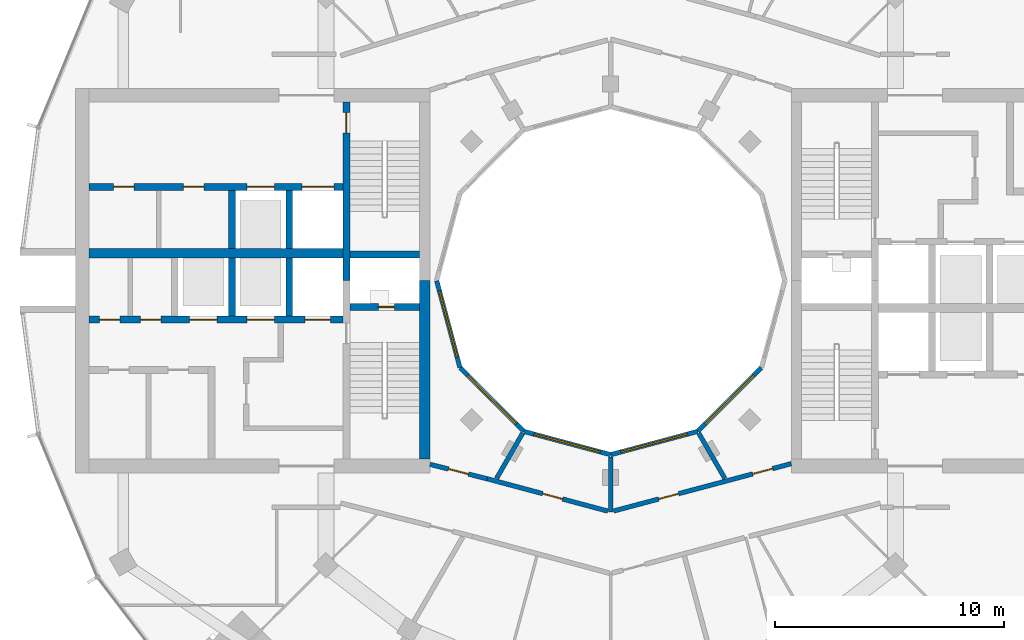
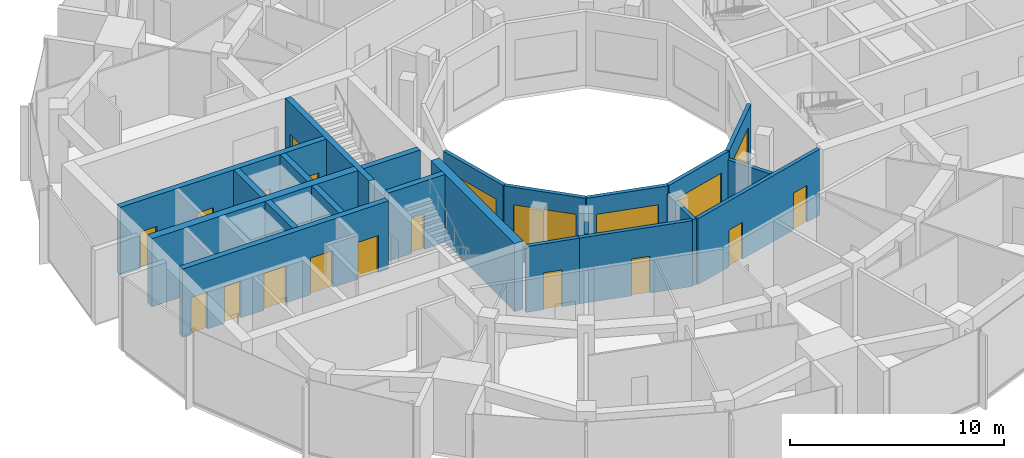
# One storey, part 9 of 15: 22 walls, 15 doors, 5 windows, 20 openings.
"""IFC4 building model written with IfcOpenShell, lengths in metres."""

from ifc_helpers import new_model, si_unit, direction, frame, frame_2d, origin, place, context, subcontext, project, spatial, rectangle, extrude, material, layer, layer_set, type_object, element, fill, save


model = new_model("IFC4")

# Units and contexts
model_context = context("Model", 3, precision=1e-05, world=origin(), true_north=direction((0.0, 1.0)))
body_context = subcontext(model_context, "Body", "Model", "MODEL_VIEW")
ifc_project = project(units=[si_unit("LENGTHUNIT", "METRE"), si_unit("AREAUNIT", "SQUARE_METRE"), si_unit("VOLUMEUNIT", "CUBIC_METRE"), si_unit("PLANEANGLEUNIT", "RADIAN"), si_unit("MASSUNIT", "GRAM", prefix="KILO")], contexts=[model_context])

# Site, building, storey
site_placement = place(None, origin())
site = spatial("IfcSite", under=ifc_project, at=site_placement, CompositionType="ELEMENT")
building_placement = place(site_placement, origin())
building = spatial("IfcBuilding", under=site, at=building_placement, Name="Torre Brocal", CompositionType="ELEMENT")
storey_placement = place(building_placement, frame((0.0, 0.0, 237.300048828125)))
storey = spatial("IfcBuildingStorey", under=building, at=storey_placement, Name="L54", CompositionType="ELEMENT", Elevation=237.300048828125)

# Wall, opening, door
ifc_material_1 = material(Name="Concrete C60", Category="concrete")
ifc_layer_1 = layer(ifc_material_1, 0.300048828125)
ifc_layer_set_1 = layer_set([ifc_layer_1], Name="Concrete C60")
wall_type_1 = type_object("IfcWallType", Name="CORE WALL 300 C60", PredefinedType="SHEAR", material=ifc_layer_set_1)
wall_1_placement = place(storey_placement, frame((68.449951171875, 82.800048828125, 0.0), z_axis=(0.0, 0.0, 1.0), x_axis=(0.0, -1.0, 0.0)))
wall_1 = element("IfcWall", 1, at=wall_1_placement, inside=storey, type_object=wall_type_1, Name="Wall CW300-60", PredefinedType="SHEAR", context=body_context, shape_type="SweptSolid", body=[
    extrude(rectangle(XDim=7.800048828125, YDim=0.300048828125, at=frame_2d((3.89990234375, 0.0))), origin(), (0.0, 0.0, 1.0), 3.8798828125),
])
opening_1_placement = place(wall_1_placement, frame((0.449951171875, 0.0, 0.0)))
opening_1 = element("IfcOpeningElement", 2, at=opening_1_placement, cuts=wall_1, Name="Opening W-D03", PredefinedType="OPENING", context=body_context, shape_type="SweptSolid", body=[
    extrude(rectangle(XDim=0.89990234375, YDim=2.10009765625, at=frame_2d((0.449951171875, 1.050048828125))), frame((0.0, 0.159912109375, 0.0), z_axis=(0.0, -1.0, 0.0), x_axis=(1.0, 0.0, 0.0)), (0.0, 0.0, 1.0), 0.320068359375),
])
ifc_material_2 = material(Name="Steel A653", Category="steel")
door_type_1 = type_object("IfcDoorType", Name="STAIR DOOR FD120 900X2100", OperationType="SINGLE_SWING_RIGHT", PredefinedType="DOOR", material=ifc_material_2)
door_1_placement = place(opening_1_placement, origin())
door_1 = element("IfcDoor", 3, at=door_1_placement, inside=storey, type_object=door_type_1, Name="Door W-D03", OperationType="SINGLE_SWING_LEFT", OverallHeight=2.10009765625, OverallWidth=0.89990234375, PredefinedType="DOOR", context=body_context, shape_type="SweptSolid", body=[
    extrude(rectangle(XDim=0.89990234375, YDim=2.10009765625, at=frame_2d((0.449951171875, 1.050048828125))), frame((0.0, 0.02490234375, 0.0), z_axis=(0.0, -1.0, 0.0), x_axis=(1.0, 0.0, 0.0)), (0.0, 0.0, 1.0), 0.050048828125),
])
fill(opening_1, door_1)

wall_2_placement = place(storey_placement, frame((71.64990234375, 73.85009765625, 0.0), z_axis=(0.0, 0.0, 1.0), x_axis=(-1.0, 0.0, 0.0)))
wall_2 = element("IfcWall", 4, at=wall_2_placement, inside=storey, type_object=wall_type_1, Name="Wall CW300-60", PredefinedType="SHEAR", context=body_context, shape_type="SweptSolid", body=[
    extrude(rectangle(XDim=3.0498046875, YDim=0.300048828125, at=frame_2d((1.52490234375, 0.0))), origin(), (0.0, 0.0, 1.0), 3.8798828125),
])
opening_2_placement = place(wall_2_placement, frame((1.10009765625, 0.0, 0.0)))
opening_2 = element("IfcOpeningElement", 5, at=opening_2_placement, cuts=wall_2, Name="Opening W-D01", PredefinedType="OPENING", context=body_context, shape_type="SweptSolid", body=[
    extrude(rectangle(XDim=0.699951171875, YDim=2.0, at=frame_2d((0.35009765625, 1.0))), frame((0.0, 0.159912109375, 0.0), z_axis=(0.0, -1.0, 0.0), x_axis=(1.0, 0.0, 0.0)), (0.0, 0.0, 1.0), 0.320068359375),
])
ifc_material_3 = material(Name="Steel A653", Category="steel")
door_type_2 = type_object("IfcDoorType", Name="RISER DOOR FD120 700X2000", OperationType="SINGLE_SWING_LEFT", PredefinedType="DOOR", material=ifc_material_3)
door_2_placement = place(opening_2_placement, frame((0.699951171875, 0.0, 0.0), z_axis=(0.0, 0.0, 1.0), x_axis=(-1.0, 0.0, 0.0)))
door_2 = element("IfcDoor", 6, at=door_2_placement, inside=storey, type_object=door_type_2, Name="Door W-D01", OperationType="SINGLE_SWING_RIGHT", OverallHeight=2.0, OverallWidth=0.699951171875, PredefinedType="DOOR", context=body_context, shape_type="SweptSolid", body=[
    extrude(rectangle(XDim=0.699951171875, YDim=2.0, at=frame_2d((0.35009765625, 1.0))), frame((0.0, 0.02490234375, 0.0), z_axis=(0.0, -1.0, 0.0), x_axis=(1.0, 0.0, 0.0)), (0.0, 0.0, 1.0), 0.050048828125),
])
fill(opening_2, door_2)

# Wall
wall_3_placement = place(storey_placement, frame((71.64990234375, 76.14990234375, 0.0), z_axis=(0.0, 0.0, 1.0), x_axis=(-1.0, 0.0, 0.0)))
element("IfcWall", 7, at=wall_3_placement, inside=storey, type_object=wall_type_1, Name="Wall CW300-60", PredefinedType="SHEAR", context=body_context, shape_type="SweptSolid", body=[
    extrude(rectangle(XDim=3.0498046875, YDim=0.300048828125, at=frame_2d((1.52490234375, 0.0))), origin(), (0.0, 0.0, 1.0), 3.8798828125),
])

# Wall, openings, doors
wall_4_placement = place(storey_placement, frame((68.300048828125, 73.300048828125, 0.0), z_axis=(0.0, 0.0, 1.0), x_axis=(-1.0, 0.0, 0.0)))
wall_4 = element("IfcWall", 8, at=wall_4_placement, inside=storey, type_object=wall_type_1, Name="Wall CW300-60", PredefinedType="SHEAR", context=body_context, shape_type="SweptSolid", body=[
    extrude(rectangle(XDim=11.10009765625, YDim=0.300048828125, at=frame_2d((5.550048828125, 0.0))), origin(), (0.0, 0.0, 1.0), 3.8798828125),
])
opening_3_placement = place(wall_4_placement, frame((0.550048828125, 0.0, 0.0)))
opening_3 = element("IfcOpeningElement", 9, at=opening_3_placement, cuts=wall_4, Name="Opening LD", PredefinedType="OPENING", context=body_context, shape_type="SweptSolid", body=[
    extrude(rectangle(XDim=1.10009765625, YDim=2.10009765625, at=frame_2d((0.550048828125, 1.050048828125))), frame((0.0, 0.159912109375, 0.0), z_axis=(0.0, -1.0, 0.0), x_axis=(1.0, 0.0, 0.0)), (0.0, 0.0, 1.0), 0.320068359375),
])
opening_4_placement = place(wall_4_placement, frame((3.0, 0.0, 0.0)))
opening_4 = element("IfcOpeningElement", 10, at=opening_4_placement, cuts=wall_4, Name="Opening LD12", PredefinedType="OPENING", context=body_context, shape_type="SweptSolid", body=[
    extrude(rectangle(XDim=1.199951171875, YDim=2.10009765625, at=frame_2d((0.60009765625, 1.050048828125))), frame((0.0, 0.159912109375, 0.0), z_axis=(0.0, -1.0, 0.0), x_axis=(1.0, 0.0, 0.0)), (0.0, 0.0, 1.0), 0.320068359375),
])
opening_5_placement = place(wall_4_placement, frame((5.5, 0.0, 0.0)))
opening_5 = element("IfcOpeningElement", 11, at=opening_5_placement, cuts=wall_4, Name="Opening LD12", PredefinedType="OPENING", context=body_context, shape_type="SweptSolid", body=[
    extrude(rectangle(XDim=1.199951171875, YDim=2.10009765625, at=frame_2d((0.60009765625, 1.050048828125))), frame((0.0, 0.159912109375, 0.0), z_axis=(0.0, -1.0, 0.0), x_axis=(1.0, 0.0, 0.0)), (0.0, 0.0, 1.0), 0.320068359375),
])
opening_6_placement = place(wall_4_placement, frame((7.949951171875, 0.0, 0.0)))
opening_6 = element("IfcOpeningElement", 12, at=opening_6_placement, cuts=wall_4, Name="Opening W-D04", PredefinedType="OPENING", context=body_context, shape_type="SweptSolid", body=[
    extrude(rectangle(XDim=0.89990234375, YDim=2.10009765625, at=frame_2d((0.449951171875, 1.050048828125))), frame((0.0, 0.159912109375, 0.0), z_axis=(0.0, -1.0, 0.0), x_axis=(1.0, 0.0, 0.0)), (0.0, 0.0, 1.0), 0.320068359375),
])
opening_7_placement = place(wall_4_placement, frame((9.75, 0.0, 0.0)))
opening_7 = element("IfcOpeningElement", 13, at=opening_7_placement, cuts=wall_4, Name="Opening W-D05", PredefinedType="OPENING", context=body_context, shape_type="SweptSolid", body=[
    extrude(rectangle(XDim=0.89990234375, YDim=2.10009765625, at=frame_2d((0.449951171875, 1.050048828125))), frame((0.0, 0.159912109375, 0.0), z_axis=(0.0, -1.0, 0.0), x_axis=(1.0, 0.0, 0.0)), (0.0, 0.0, 1.0), 0.320068359375),
])
ifc_material_4 = material(Name="Stainless steel AISI 316", Category="steel")
door_type_3 = type_object("IfcDoorType", Name="LIFT LANDING DOOR 1100X2100", OperationType="DOUBLE_DOOR_SLIDING", PredefinedType="DOOR", material=ifc_material_4)
door_3_placement = place(opening_3_placement, origin())
door_3 = element("IfcDoor", 14, at=door_3_placement, inside=storey, type_object=door_type_3, Name="Door LD", OperationType="DOUBLE_DOOR_SLIDING", OverallHeight=2.10009765625, OverallWidth=1.10009765625, PredefinedType="DOOR", context=body_context, shape_type="SweptSolid", body=[
    extrude(rectangle(XDim=1.10009765625, YDim=2.10009765625, at=frame_2d((0.550048828125, 1.050048828125))), frame((0.0, 0.02490234375, 0.0), z_axis=(0.0, -1.0, 0.0), x_axis=(1.0, 0.0, 0.0)), (0.0, 0.0, 1.0), 0.050048828125),
])
fill(opening_3, door_3)
ifc_material_5 = material(Name="Stainless steel AISI 316", Category="steel")
door_type_4 = type_object("IfcDoorType", Name="LIFT LANDING DOOR 1200X2100", OperationType="DOUBLE_DOOR_SLIDING", PredefinedType="DOOR", material=ifc_material_5)
door_4_placement = place(opening_4_placement, origin())
door_4 = element("IfcDoor", 15, at=door_4_placement, inside=storey, type_object=door_type_4, Name="Door LD12", OperationType="DOUBLE_DOOR_SLIDING", OverallHeight=2.10009765625, OverallWidth=1.199951171875, PredefinedType="DOOR", context=body_context, shape_type="SweptSolid", body=[
    extrude(rectangle(XDim=1.199951171875, YDim=2.10009765625, at=frame_2d((0.60009765625, 1.050048828125))), frame((0.0, 0.02490234375, 0.0), z_axis=(0.0, -1.0, 0.0), x_axis=(1.0, 0.0, 0.0)), (0.0, 0.0, 1.0), 0.050048828125),
])
fill(opening_4, door_4)
door_5_placement = place(opening_5_placement, origin())
door_5 = element("IfcDoor", 16, at=door_5_placement, inside=storey, type_object=door_type_4, Name="Door LD12", OperationType="DOUBLE_DOOR_SLIDING", OverallHeight=2.10009765625, OverallWidth=1.199951171875, PredefinedType="DOOR", context=body_context, shape_type="SweptSolid", body=[
    extrude(rectangle(XDim=1.199951171875, YDim=2.10009765625, at=frame_2d((0.60009765625, 1.050048828125))), frame((0.0, 0.02490234375, 0.0), z_axis=(0.0, -1.0, 0.0), x_axis=(1.0, 0.0, 0.0)), (0.0, 0.0, 1.0), 0.050048828125),
])
fill(opening_5, door_5)
ifc_material_6 = material(Name="Steel A653", Category="steel")
door_type_5 = type_object("IfcDoorType", Name="ROOM DOOR FD30S 900X2100", OperationType="SINGLE_SWING_LEFT", PredefinedType="DOOR", material=ifc_material_6)
door_6_placement = place(opening_6_placement, frame((0.89990234375, 0.0, 0.0), z_axis=(0.0, 0.0, 1.0), x_axis=(-1.0, 0.0, 0.0)))
door_6 = element("IfcDoor", 17, at=door_6_placement, inside=storey, type_object=door_type_5, Name="Door W-D04", OperationType="SINGLE_SWING_LEFT", OverallHeight=2.10009765625, OverallWidth=0.89990234375, PredefinedType="DOOR", context=body_context, shape_type="SweptSolid", body=[
    extrude(rectangle(XDim=0.89990234375, YDim=2.10009765625, at=frame_2d((0.449951171875, 1.050048828125))), frame((0.0, 0.02490234375, 0.0), z_axis=(0.0, -1.0, 0.0), x_axis=(1.0, 0.0, 0.0)), (0.0, 0.0, 1.0), 0.050048828125),
])
fill(opening_6, door_6)
door_7_placement = place(opening_7_placement, frame((0.89990234375, 0.0, 0.0), z_axis=(0.0, 0.0, 1.0), x_axis=(-1.0, 0.0, 0.0)))
door_7 = element("IfcDoor", 18, at=door_7_placement, inside=storey, type_object=door_type_5, Name="Door W-D05", OperationType="SINGLE_SWING_RIGHT", OverallHeight=2.10009765625, OverallWidth=0.89990234375, PredefinedType="DOOR", context=body_context, shape_type="SweptSolid", body=[
    extrude(rectangle(XDim=0.89990234375, YDim=2.10009765625, at=frame_2d((0.449951171875, 1.050048828125))), frame((0.0, 0.02490234375, 0.0), z_axis=(0.0, -1.0, 0.0), x_axis=(1.0, 0.0, 0.0)), (0.0, 0.0, 1.0), 0.050048828125),
])
fill(opening_7, door_7)

wall_5_placement = place(storey_placement, frame((68.300048828125, 79.10009765625, 0.0), z_axis=(0.0, 0.0, 1.0), x_axis=(-1.0, 0.0, 0.0)))
wall_5 = element("IfcWall", 19, at=wall_5_placement, inside=storey, type_object=wall_type_1, Name="Wall CW300-60", PredefinedType="SHEAR", context=body_context, shape_type="SweptSolid", body=[
    extrude(rectangle(XDim=11.10009765625, YDim=0.300048828125, at=frame_2d((5.550048828125, 0.0))), origin(), (0.0, 0.0, 1.0), 3.8798828125),
])
opening_8_placement = place(wall_5_placement, frame((0.39990234375, 0.0, 0.0)))
opening_8 = element("IfcOpeningElement", 20, at=opening_8_placement, cuts=wall_5, Name="Opening LD14", PredefinedType="OPENING", context=body_context, shape_type="SweptSolid", body=[
    extrude(rectangle(XDim=1.39990234375, YDim=2.10009765625, at=frame_2d((0.699951171875, 1.050048828125))), frame((0.0, 0.159912109375, 0.0), z_axis=(0.0, -1.0, 0.0), x_axis=(1.0, 0.0, 0.0)), (0.0, 0.0, 1.0), 0.320068359375),
])
opening_9_placement = place(wall_5_placement, frame((3.0, 0.0, 0.0)))
opening_9 = element("IfcOpeningElement", 21, at=opening_9_placement, cuts=wall_5, Name="Opening LD12", PredefinedType="OPENING", context=body_context, shape_type="SweptSolid", body=[
    extrude(rectangle(XDim=1.199951171875, YDim=2.10009765625, at=frame_2d((0.60009765625, 1.050048828125))), frame((0.0, 0.159912109375, 0.0), z_axis=(0.0, -1.0, 0.0), x_axis=(1.0, 0.0, 0.0)), (0.0, 0.0, 1.0), 0.320068359375),
])
opening_10_placement = place(wall_5_placement, frame((6.074951171875, 0.0, 0.0)))
opening_10 = element("IfcOpeningElement", 22, at=opening_10_placement, cuts=wall_5, Name="Opening W-D06", PredefinedType="OPENING", context=body_context, shape_type="SweptSolid", body=[
    extrude(rectangle(XDim=0.89990234375, YDim=2.10009765625, at=frame_2d((0.449951171875, 1.050048828125))), frame((0.0, 0.159912109375, 0.0), z_axis=(0.0, -1.0, 0.0), x_axis=(1.0, 0.0, 0.0)), (0.0, 0.0, 1.0), 0.320068359375),
])
opening_11_placement = place(wall_5_placement, frame((9.125, 0.0, 0.0)))
opening_11 = element("IfcOpeningElement", 23, at=opening_11_placement, cuts=wall_5, Name="Opening W-D07", PredefinedType="OPENING", context=body_context, shape_type="SweptSolid", body=[
    extrude(rectangle(XDim=0.89990234375, YDim=2.10009765625, at=frame_2d((0.449951171875, 1.050048828125))), frame((0.0, 0.159912109375, 0.0), z_axis=(0.0, -1.0, 0.0), x_axis=(1.0, 0.0, 0.0)), (0.0, 0.0, 1.0), 0.320068359375),
])
door_8_placement = place(opening_9_placement, origin())
door_8 = element("IfcDoor", 24, at=door_8_placement, inside=storey, type_object=door_type_4, Name="Door LD12", OperationType="DOUBLE_DOOR_SLIDING", OverallHeight=2.10009765625, OverallWidth=1.199951171875, PredefinedType="DOOR", context=body_context, shape_type="SweptSolid", body=[
    extrude(rectangle(XDim=1.199951171875, YDim=2.10009765625, at=frame_2d((0.60009765625, 1.050048828125))), frame((0.0, 0.02490234375, 0.0), z_axis=(0.0, -1.0, 0.0), x_axis=(1.0, 0.0, 0.0)), (0.0, 0.0, 1.0), 0.050048828125),
])
fill(opening_9, door_8)
ifc_material_7 = material(Name="Stainless steel AISI 316", Category="steel")
door_type_6 = type_object("IfcDoorType", Name="LIFT LANDING DOOR 1400X2100", OperationType="DOUBLE_DOOR_SLIDING", PredefinedType="DOOR", material=ifc_material_7)
door_9_placement = place(opening_8_placement, origin())
door_9 = element("IfcDoor", 25, at=door_9_placement, inside=storey, type_object=door_type_6, Name="Door LD14", OperationType="DOUBLE_DOOR_SLIDING", OverallHeight=2.10009765625, OverallWidth=1.39990234375, PredefinedType="DOOR", context=body_context, shape_type="SweptSolid", body=[
    extrude(rectangle(XDim=1.39990234375, YDim=2.10009765625, at=frame_2d((0.699951171875, 1.050048828125))), frame((0.0, 0.02490234375, 0.0), z_axis=(0.0, -1.0, 0.0), x_axis=(1.0, 0.0, 0.0)), (0.0, 0.0, 1.0), 0.050048828125),
])
fill(opening_8, door_9)
door_10_placement = place(opening_10_placement, origin())
door_10 = element("IfcDoor", 26, at=door_10_placement, inside=storey, type_object=door_type_5, Name="Door W-D06", OperationType="SINGLE_SWING_RIGHT", OverallHeight=2.10009765625, OverallWidth=0.89990234375, PredefinedType="DOOR", context=body_context, shape_type="SweptSolid", body=[
    extrude(rectangle(XDim=0.89990234375, YDim=2.10009765625, at=frame_2d((0.449951171875, 1.050048828125))), frame((0.0, 0.02490234375, 0.0), z_axis=(0.0, -1.0, 0.0), x_axis=(1.0, 0.0, 0.0)), (0.0, 0.0, 1.0), 0.050048828125),
])
fill(opening_10, door_10)
door_11_placement = place(opening_11_placement, origin())
door_11 = element("IfcDoor", 27, at=door_11_placement, inside=storey, type_object=door_type_5, Name="Door W-D07", OperationType="SINGLE_SWING_LEFT", OverallHeight=2.10009765625, OverallWidth=0.89990234375, PredefinedType="DOOR", context=body_context, shape_type="SweptSolid", body=[
    extrude(rectangle(XDim=0.89990234375, YDim=2.10009765625, at=frame_2d((0.449951171875, 1.050048828125))), frame((0.0, 0.02490234375, 0.0), z_axis=(0.0, -1.0, 0.0), x_axis=(1.0, 0.0, 0.0)), (0.0, 0.0, 1.0), 0.050048828125),
])
fill(opening_11, door_11)

# Walls
for number, where, z_axis, x_axis, name in (
    (28, (65.949951171875, 76.0, 0.0), (0.0, 0.0, 1.0), (0.0, -1.0, 0.0), "Wall CW300-60"),
    (29, (63.449951171875, 76.0, 0.0), (0.0, 0.0, 1.0), (0.0, -1.0, 0.0), "Wall CW300-60"),
    (30, (65.949951171875, 78.949951171875, 0.0), (0.0, 0.0, 1.0), (0.0, -1.0, 0.0), "Wall CW300-60"),
    (31, (63.449951171875, 78.949951171875, 0.0), (0.0, 0.0, 1.0), (0.0, -1.0, 0.0), "Wall CW300-60"),
):
    element("IfcWall", number, at=place(storey_placement, frame(where, z_axis=z_axis, x_axis=x_axis)), inside=storey, type_object=wall_type_1, Name=name, PredefinedType="SHEAR", context=body_context, shape_type="SweptSolid", body=[
        extrude(rectangle(XDim=2.550048828125, YDim=0.300048828125, at=frame_2d((1.27490234375, 0.0))), origin(), (0.0, 0.0, 1.0), 3.8798828125),
    ])
ifc_material_8 = material(Name="Concrete C60", Category="concrete")
ifc_layer_2 = layer(ifc_material_8, 0.39990234375)
ifc_layer_set_2 = layer_set([ifc_layer_2], Name="Concrete C60")
wall_type_2 = type_object("IfcWallType", Name="CORE WALL 400 C60", PredefinedType="SHEAR", material=ifc_layer_set_2)
wall_6_placement = place(storey_placement, frame((68.300048828125, 76.199951171875, 0.0), z_axis=(0.0, 0.0, 1.0), x_axis=(-1.0, 0.0, 0.0)))
element("IfcWall", 32, at=wall_6_placement, inside=storey, type_object=wall_type_2, Name="Wall CW400-60", PredefinedType="SHEAR", context=body_context, shape_type="SweptSolid", body=[
    extrude(rectangle(XDim=11.10009765625, YDim=0.39990234375, at=frame_2d((5.550048828125, 0.0))), origin(), (0.0, 0.0, 1.0), 3.8798828125),
])
ifc_material_9 = material(Name="Concrete C60", Category="concrete")
ifc_layer_3 = layer(ifc_material_9, 0.449951171875)
ifc_layer_set_3 = layer_set([ifc_layer_3], Name="Concrete C60")
wall_type_3 = type_object("IfcWallType", Name="CORE WALL 450 C60", PredefinedType="SHEAR", material=ifc_layer_set_3)
wall_7_placement = place(storey_placement, frame((71.875, 75.0, 0.0), z_axis=(0.0, 0.0, 1.0), x_axis=(0.0, -1.0, 0.0)))
element("IfcWall", 33, at=wall_7_placement, inside=storey, type_object=wall_type_3, Name="Wall CW450-60", PredefinedType="SHEAR", context=body_context, shape_type="SweptSolid", body=[
    extrude(rectangle(XDim=7.800048828125, YDim=0.449951171875, at=frame_2d((3.89990234375, 0.0))), origin(), (0.0, 0.0, 1.0), 3.8798828125),
])

# Wall, opening, door
ifc_material_10 = material(Name="Gypsum board", Category="Gypsum")
ifc_layer_4 = layer(ifc_material_10, 0.199951171875)
ifc_layer_set_4 = layer_set([ifc_layer_4], Name="Gypsum board")
wall_type_4 = type_object("IfcWallType", Name="PARTITION 200 EI60", PredefinedType="PARTITIONING", material=ifc_layer_set_4)
wall_8_placement = place(storey_placement, frame((72.10009765625, 66.97509765625, 0.0), z_axis=(0.0, 0.0, 1.0), x_axis=(0.969471314457, -0.245204752086, 0.0)))
wall_8 = element("IfcWall", 34, at=wall_8_placement, inside=storey, type_object=wall_type_4, Name="CORRIDOR WALL", PredefinedType="PARTITIONING", context=body_context, shape_type="SweptSolid", body=[
    extrude(rectangle(XDim=2.581787109375, YDim=0.199951171875, at=frame_2d((1.291015625, 0.0))), origin(), (0.0, 0.0, 1.0), 3.75),
])
opening_12_placement = place(wall_8_placement, frame((0.8408203125, 0.0, 0.0)))
opening_12 = element("IfcOpeningElement", 35, at=opening_12_placement, cuts=wall_8, Name="Opening B03-D39", PredefinedType="OPENING", context=body_context, shape_type="SweptSolid", body=[
    extrude(rectangle(XDim=0.89990234375, YDim=2.10009765625, at=frame_2d((0.449951171875, 1.050048828125))), frame((0.0, 0.10986328125, 0.0), z_axis=(0.0, -1.0, 0.0), x_axis=(1.0, 0.0, 0.0)), (0.0, 0.0, 1.0), 0.219970703125),
])
ifc_material_11 = material(Name="Timber", Category="wood")
door_type_7 = type_object("IfcDoorType", Name="ROOM DOOR 900X2100", OperationType="SINGLE_SWING_LEFT", PredefinedType="DOOR", material=ifc_material_11)
door_12_placement = place(opening_12_placement, origin())
door_12 = element("IfcDoor", 36, at=door_12_placement, inside=storey, type_object=door_type_7, Name="B03-D39", OperationType="SINGLE_SWING_LEFT", OverallHeight=2.10009765625, OverallWidth=0.89990234375, PredefinedType="DOOR", context=body_context, shape_type="SweptSolid", body=[
    extrude(rectangle(XDim=0.89990234375, YDim=2.10009765625, at=frame_2d((0.449951171875, 1.050048828125))), frame((0.0, 0.02490234375, 0.0), z_axis=(0.0, -1.0, 0.0), x_axis=(1.0, 0.0, 0.0)), (0.0, 0.0, 1.0), 0.050048828125),
])
fill(opening_12, door_12)

wall_9_placement = place(storey_placement, frame((74.60302734375, 66.342041015625, 0.0), z_axis=(0.0, 0.0, 1.0), x_axis=(0.965920893652, -0.258837453254, 0.0)))
wall_9 = element("IfcWall", 37, at=wall_9_placement, inside=storey, type_object=wall_type_4, Name="CORRIDOR WALL", PredefinedType="PARTITIONING", context=body_context, shape_type="SweptSolid", body=[
    extrude(rectangle(XDim=5.45751953125, YDim=0.199951171875, at=frame_2d((2.728759765625, 0.0))), origin(), (0.0, 0.0, 1.0), 3.75),
])
opening_13_placement = place(wall_9_placement, frame((2.512451171875, 0.0, 0.0)))
opening_13 = element("IfcOpeningElement", 38, at=opening_13_placement, cuts=wall_9, Name="Opening B03-D38", PredefinedType="OPENING", context=body_context, shape_type="SweptSolid", body=[
    extrude(rectangle(XDim=0.89990234375, YDim=2.10009765625, at=frame_2d((0.449951171875, 1.050048828125))), frame((0.0, 0.10986328125, 0.0), z_axis=(0.0, -1.0, 0.0), x_axis=(1.0, 0.0, 0.0)), (0.0, 0.0, 1.0), 0.219970703125),
])
door_13_placement = place(opening_13_placement, origin())
door_13 = element("IfcDoor", 39, at=door_13_placement, inside=storey, type_object=door_type_7, Name="B03-D38", OperationType="SINGLE_SWING_LEFT", OverallHeight=2.10009765625, OverallWidth=0.89990234375, PredefinedType="DOOR", context=body_context, shape_type="SweptSolid", body=[
    extrude(rectangle(XDim=0.89990234375, YDim=2.10009765625, at=frame_2d((0.449951171875, 1.050048828125))), frame((0.0, 0.02490234375, 0.0), z_axis=(0.0, -1.0, 0.0), x_axis=(1.0, 0.0, 0.0)), (0.0, 0.0, 1.0), 0.050048828125),
])
fill(opening_13, door_13)

# Wall
wall_10_placement = place(storey_placement, frame((75.013916015625, 66.362060546875, 0.0), z_axis=(0.0, 0.0, 1.0), x_axis=(0.500097042406, 0.865969369075, 0.0)))
element("IfcWall", 40, at=wall_10_placement, inside=storey, type_object=wall_type_4, Name="SERVICE ROOM WALL", PredefinedType="PARTITIONING", context=body_context, shape_type="SweptSolid", body=[
    extrude(rectangle(XDim=2.275390625, YDim=0.199951171875, at=frame_2d((1.1376953125, 0.0))), origin(), (0.0, 0.0, 1.0), 3.75),
])

# Wall, openings, doors
wall_11_placement = place(storey_placement, frame((80.125, 64.931640625, 0.0), z_axis=(0.0, 0.0, 1.0), x_axis=(0.966236955806, 0.257655089674, 0.0)))
wall_11 = element("IfcWall", 41, at=wall_11_placement, inside=storey, type_object=wall_type_4, Name="CORRIDOR WALL", PredefinedType="PARTITIONING", context=body_context, shape_type="SweptSolid", body=[
    extrude(rectangle(XDim=8.0390625, YDim=0.199951171875, at=frame_2d((4.01953125, 0.0))), origin(), (0.0, 0.0, 1.0), 3.75),
])
opening_14_placement = place(wall_11_placement, frame((6.298095703125, 0.0, 0.0)))
opening_14 = element("IfcOpeningElement", 42, at=opening_14_placement, cuts=wall_11, Name="Opening B03-D36", PredefinedType="OPENING", context=body_context, shape_type="SweptSolid", body=[
    extrude(rectangle(XDim=0.89990234375, YDim=2.10009765625, at=frame_2d((0.449951171875, 1.050048828125))), frame((0.0, 0.10986328125, 0.0), z_axis=(0.0, -1.0, 0.0), x_axis=(1.0, 0.0, 0.0)), (0.0, 0.0, 1.0), 0.219970703125),
])
opening_15_placement = place(wall_11_placement, frame((2.044921875, 0.0, 0.0)))
opening_15 = element("IfcOpeningElement", 43, at=opening_15_placement, cuts=wall_11, Name="Opening B03-D37", PredefinedType="OPENING", context=body_context, shape_type="SweptSolid", body=[
    extrude(rectangle(XDim=0.89990234375, YDim=2.10009765625, at=frame_2d((0.449951171875, 1.050048828125))), frame((0.0, 0.10986328125, 0.0), z_axis=(0.0, -1.0, 0.0), x_axis=(1.0, 0.0, 0.0)), (0.0, 0.0, 1.0), 0.219970703125),
])
door_14_placement = place(opening_14_placement, origin())
door_14 = element("IfcDoor", 44, at=door_14_placement, inside=storey, type_object=door_type_7, Name="B03-D36", OperationType="SINGLE_SWING_RIGHT", OverallHeight=2.10009765625, OverallWidth=0.89990234375, PredefinedType="DOOR", context=body_context, shape_type="SweptSolid", body=[
    extrude(rectangle(XDim=0.89990234375, YDim=2.10009765625, at=frame_2d((0.449951171875, 1.050048828125))), frame((0.0, 0.02490234375, 0.0), z_axis=(0.0, -1.0, 0.0), x_axis=(1.0, 0.0, 0.0)), (0.0, 0.0, 1.0), 0.050048828125),
])
fill(opening_14, door_14)
door_15_placement = place(opening_15_placement, origin())
door_15 = element("IfcDoor", 45, at=door_15_placement, inside=storey, type_object=door_type_7, Name="B03-D37", OperationType="SINGLE_SWING_RIGHT", OverallHeight=2.10009765625, OverallWidth=0.89990234375, PredefinedType="DOOR", context=body_context, shape_type="SweptSolid", body=[
    extrude(rectangle(XDim=0.89990234375, YDim=2.10009765625, at=frame_2d((0.449951171875, 1.050048828125))), frame((0.0, 0.02490234375, 0.0), z_axis=(0.0, -1.0, 0.0), x_axis=(1.0, 0.0, 0.0)), (0.0, 0.0, 1.0), 0.050048828125),
])
fill(opening_15, door_15)

# Walls
wall_12_placement = place(storey_placement, frame((80.0, 64.89599609375, 0.0), z_axis=(0.0, 0.0, 1.0), x_axis=(0.0, 1.0, 0.0)))
element("IfcWall", 46, at=wall_12_placement, inside=storey, type_object=wall_type_4, Name="SERVICE ROOM WALL", PredefinedType="PARTITIONING", context=body_context, shape_type="SweptSolid", body=[
    extrude(rectangle(XDim=2.405029296875, YDim=0.199951171875, at=frame_2d((1.20263671875, 0.0))), origin(), (0.0, 0.0, 1.0), 3.75),
])
wall_13_placement = place(storey_placement, frame((83.849609375, 68.333251953125, 0.0), z_axis=(0.0, 0.0, 1.0), x_axis=(0.500080019051, -0.865979199835, 0.0)))
element("IfcWall", 47, at=wall_13_placement, inside=storey, type_object=wall_type_4, Name="PARTY PARTITION", PredefinedType="PARTITIONING", context=body_context, shape_type="SweptSolid", body=[
    extrude(rectangle(XDim=2.285400390625, YDim=0.199951171875, at=frame_2d((1.142578125, 0.0))), origin(), (0.0, 0.0, 1.0), 3.75),
])

# Wall, opening, window
ifc_material_12 = material(Name="Concrete C40", Category="concrete")
ifc_layer_5 = layer(ifc_material_12, 0.199951171875)
ifc_layer_set_5 = layer_set([ifc_layer_5], Name="Concrete C40")
wall_type_5 = type_object("IfcWallType", Name="WELL FACADE WALL 200", PredefinedType="NOTDEFINED", material=ifc_layer_set_5)
wall_14_placement = place(storey_placement, frame((72.396484375, 75.0, 0.0), z_axis=(0.0, 0.0, 1.0), x_axis=(0.258789828301, -0.965933654434, 0.0)))
wall_14 = element("IfcWall", 48, at=wall_14_placement, inside=storey, type_object=wall_type_5, Name="WELL FACADE WALL", PredefinedType="NOTDEFINED", context=body_context, shape_type="SweptSolid", body=[
    extrude(rectangle(XDim=3.935791015625, YDim=0.199951171875, at=frame_2d((1.9677734375, 0.0))), origin(), (0.0, 0.0, 1.0), 4.199951171875),
])
opening_16_placement = place(wall_14_placement, frame((0.468017578125, 0.0, 0.89990234375)))
opening_16 = element("IfcOpeningElement", 49, at=opening_16_placement, cuts=wall_14, Name="Opening W1", PredefinedType="OPENING", context=body_context, shape_type="SweptSolid", body=[
    extrude(rectangle(XDim=3.0, YDim=2.300048828125, at=frame_2d((1.5, 1.14990234375))), frame((0.0, 0.10986328125, 0.0), z_axis=(0.0, -1.0, 0.0), x_axis=(1.0, 0.0, 0.0)), (0.0, 0.0, 1.0), 0.219970703125),
])
ifc_material_13 = material(Name="Aluminium and glass", Category="aluminium")
window_type = type_object("IfcWindowType", Name="WELL WINDOW 3000X2300", PartitioningType="SINGLE_PANEL", PredefinedType="WINDOW", material=ifc_material_13)
window_1_placement = place(opening_16_placement, origin())
window_1 = element("IfcWindow", 50, at=window_1_placement, inside=storey, type_object=window_type, Name="WELL WINDOW 3000X2300", OverallHeight=2.300048828125, OverallWidth=3.0, PartitioningType="SINGLE_PANEL", PredefinedType="WINDOW", context=body_context, shape_type="SweptSolid", body=[
    extrude(rectangle(XDim=3.0, YDim=2.300048828125, at=frame_2d((1.5, 1.14990234375))), frame((0.0, 0.030029296875, 0.0), z_axis=(0.0, -1.0, 0.0), x_axis=(1.0, 0.0, 0.0)), (0.0, 0.0, 1.0), 0.06005859375),
])
fill(opening_16, window_1)

wall_15_placement = place(storey_placement, frame((73.4150390625, 71.1982421875, 0.0), z_axis=(0.0, 0.0, 1.0), x_axis=(0.707106781187, -0.707106781187, 0.0)))
wall_15 = element("IfcWall", 51, at=wall_15_placement, inside=storey, type_object=wall_type_5, Name="WELL FACADE WALL", PredefinedType="NOTDEFINED", context=body_context, shape_type="SweptSolid", body=[
    extrude(rectangle(XDim=3.93603515625, YDim=0.199951171875, at=frame_2d((1.968017578125, 0.0))), origin(), (0.0, 0.0, 1.0), 4.199951171875),
])
opening_17_placement = place(wall_15_placement, frame((0.468017578125, 0.0, 0.89990234375)))
opening_17 = element("IfcOpeningElement", 52, at=opening_17_placement, cuts=wall_15, Name="Opening W1", PredefinedType="OPENING", context=body_context, shape_type="SweptSolid", body=[
    extrude(rectangle(XDim=3.0, YDim=2.300048828125, at=frame_2d((1.5, 1.14990234375))), frame((0.0, 0.10986328125, 0.0), z_axis=(0.0, -1.0, 0.0), x_axis=(1.0, 0.0, 0.0)), (0.0, 0.0, 1.0), 0.219970703125),
])
window_2_placement = place(opening_17_placement, origin())
window_2 = element("IfcWindow", 53, at=window_2_placement, inside=storey, type_object=window_type, Name="WELL WINDOW 3000X2300", OverallHeight=2.300048828125, OverallWidth=3.0, PartitioningType="SINGLE_PANEL", PredefinedType="WINDOW", context=body_context, shape_type="SweptSolid", body=[
    extrude(rectangle(XDim=3.0, YDim=2.300048828125, at=frame_2d((1.5, 1.14990234375))), frame((0.0, 0.030029296875, 0.0), z_axis=(0.0, -1.0, 0.0), x_axis=(1.0, 0.0, 0.0)), (0.0, 0.0, 1.0), 0.06005859375),
])
fill(opening_17, window_2)

wall_16_placement = place(storey_placement, frame((76.1982421875, 68.4150390625, 0.0), z_axis=(0.0, 0.0, 1.0), x_axis=(0.965933654434, -0.258789828301, 0.0)))
wall_16 = element("IfcWall", 54, at=wall_16_placement, inside=storey, type_object=wall_type_5, Name="WELL FACADE WALL", PredefinedType="NOTDEFINED", context=body_context, shape_type="SweptSolid", body=[
    extrude(rectangle(XDim=3.935791015625, YDim=0.199951171875, at=frame_2d((1.9677734375, 0.0))), origin(), (0.0, 0.0, 1.0), 4.199951171875),
])
opening_18_placement = place(wall_16_placement, frame((0.468017578125, 0.0, 0.89990234375)))
opening_18 = element("IfcOpeningElement", 55, at=opening_18_placement, cuts=wall_16, Name="Opening W1", PredefinedType="OPENING", context=body_context, shape_type="SweptSolid", body=[
    extrude(rectangle(XDim=3.0, YDim=2.300048828125, at=frame_2d((1.5, 1.14990234375))), frame((0.0, 0.10986328125, 0.0), z_axis=(0.0, -1.0, 0.0), x_axis=(1.0, 0.0, 0.0)), (0.0, 0.0, 1.0), 0.219970703125),
])
window_3_placement = place(opening_18_placement, origin())
window_3 = element("IfcWindow", 56, at=window_3_placement, inside=storey, type_object=window_type, Name="WELL WINDOW 3000X2300", OverallHeight=2.300048828125, OverallWidth=3.0, PartitioningType="SINGLE_PANEL", PredefinedType="WINDOW", context=body_context, shape_type="SweptSolid", body=[
    extrude(rectangle(XDim=3.0, YDim=2.300048828125, at=frame_2d((1.5, 1.14990234375))), frame((0.0, 0.030029296875, 0.0), z_axis=(0.0, -1.0, 0.0), x_axis=(1.0, 0.0, 0.0)), (0.0, 0.0, 1.0), 0.06005859375),
])
fill(opening_18, window_3)

wall_17_placement = place(storey_placement, frame((80.0, 67.396484375, 0.0), z_axis=(0.0, 0.0, 1.0), x_axis=(0.965933654434, 0.258789828301, 0.0)))
wall_17 = element("IfcWall", 57, at=wall_17_placement, inside=storey, type_object=wall_type_5, Name="WELL FACADE WALL", PredefinedType="NOTDEFINED", context=body_context, shape_type="SweptSolid", body=[
    extrude(rectangle(XDim=3.935791015625, YDim=0.199951171875, at=frame_2d((1.9677734375, 0.0))), origin(), (0.0, 0.0, 1.0), 4.199951171875),
])
opening_19_placement = place(wall_17_placement, frame((0.468017578125, 0.0, 0.89990234375)))
opening_19 = element("IfcOpeningElement", 58, at=opening_19_placement, cuts=wall_17, Name="Opening W1", PredefinedType="OPENING", context=body_context, shape_type="SweptSolid", body=[
    extrude(rectangle(XDim=3.0, YDim=2.300048828125, at=frame_2d((1.5, 1.14990234375))), frame((0.0, 0.10986328125, 0.0), z_axis=(0.0, -1.0, 0.0), x_axis=(1.0, 0.0, 0.0)), (0.0, 0.0, 1.0), 0.219970703125),
])
window_4_placement = place(opening_19_placement, origin())
window_4 = element("IfcWindow", 59, at=window_4_placement, inside=storey, type_object=window_type, Name="WELL WINDOW 3000X2300", OverallHeight=2.300048828125, OverallWidth=3.0, PartitioningType="SINGLE_PANEL", PredefinedType="WINDOW", context=body_context, shape_type="SweptSolid", body=[
    extrude(rectangle(XDim=3.0, YDim=2.300048828125, at=frame_2d((1.5, 1.14990234375))), frame((0.0, 0.030029296875, 0.0), z_axis=(0.0, -1.0, 0.0), x_axis=(1.0, 0.0, 0.0)), (0.0, 0.0, 1.0), 0.06005859375),
])
fill(opening_19, window_4)

wall_18_placement = place(storey_placement, frame((83.8017578125, 68.4150390625, 0.0), z_axis=(0.0, 0.0, 1.0), x_axis=(0.707106781187, 0.707106781187, 0.0)))
wall_18 = element("IfcWall", 60, at=wall_18_placement, inside=storey, type_object=wall_type_5, Name="WELL FACADE WALL", PredefinedType="NOTDEFINED", context=body_context, shape_type="SweptSolid", body=[
    extrude(rectangle(XDim=3.93603515625, YDim=0.199951171875, at=frame_2d((1.968017578125, 0.0))), origin(), (0.0, 0.0, 1.0), 4.199951171875),
])
opening_20_placement = place(wall_18_placement, frame((0.468017578125, 0.0, 0.89990234375)))
opening_20 = element("IfcOpeningElement", 61, at=opening_20_placement, cuts=wall_18, Name="Opening W1", PredefinedType="OPENING", context=body_context, shape_type="SweptSolid", body=[
    extrude(rectangle(XDim=3.0, YDim=2.300048828125, at=frame_2d((1.5, 1.14990234375))), frame((0.0, 0.10986328125, 0.0), z_axis=(0.0, -1.0, 0.0), x_axis=(1.0, 0.0, 0.0)), (0.0, 0.0, 1.0), 0.219970703125),
])
window_5_placement = place(opening_20_placement, origin())
window_5 = element("IfcWindow", 62, at=window_5_placement, inside=storey, type_object=window_type, Name="WELL WINDOW 3000X2300", OverallHeight=2.300048828125, OverallWidth=3.0, PartitioningType="SINGLE_PANEL", PredefinedType="WINDOW", context=body_context, shape_type="SweptSolid", body=[
    extrude(rectangle(XDim=3.0, YDim=2.300048828125, at=frame_2d((1.5, 1.14990234375))), frame((0.0, 0.030029296875, 0.0), z_axis=(0.0, -1.0, 0.0), x_axis=(1.0, 0.0, 0.0)), (0.0, 0.0, 1.0), 0.06005859375),
])
fill(opening_20, window_5)

save(model, "model.ifc")
